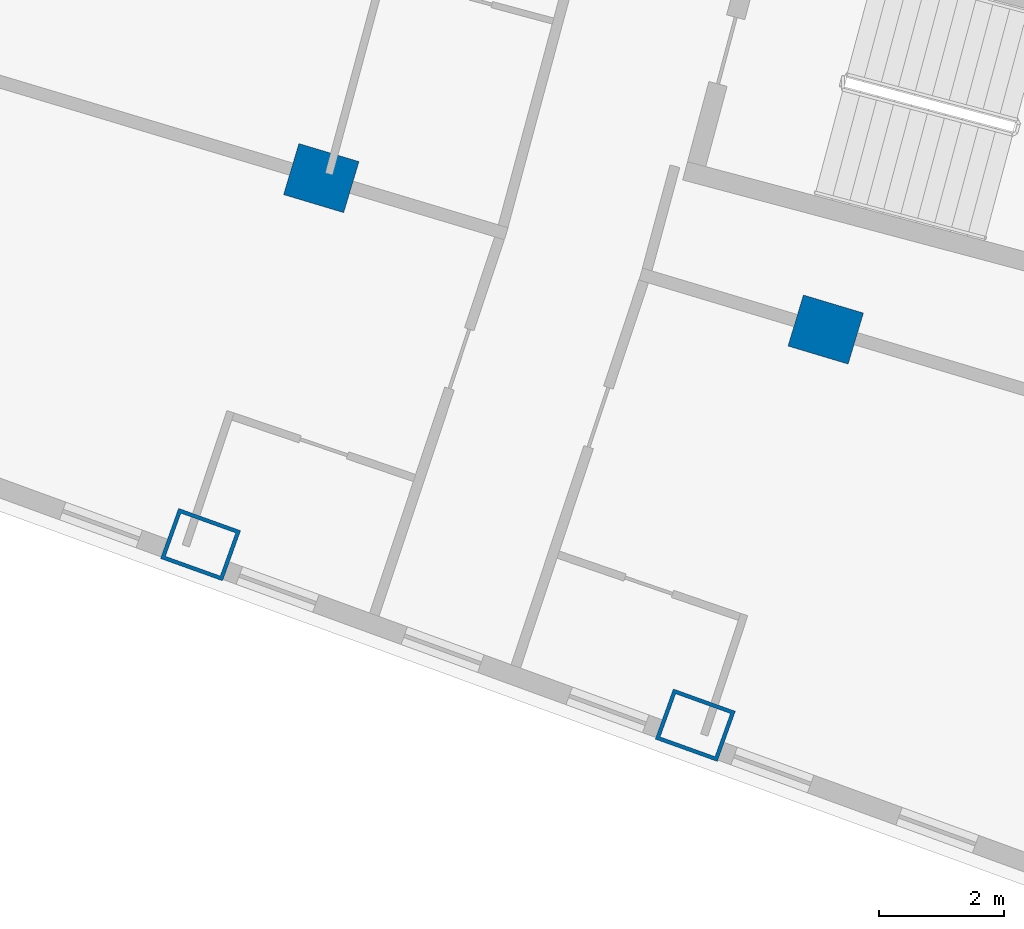
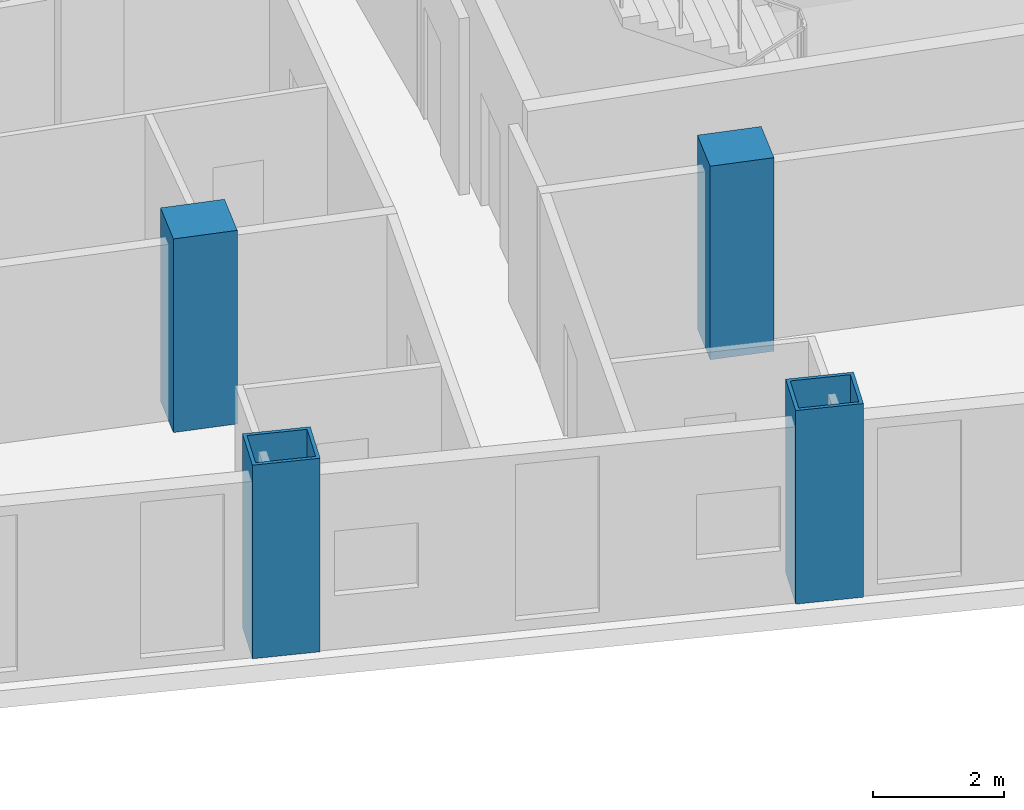
# One storey, part 2 of 25: 4 columns.
"""IFC4 building model written with IfcOpenShell, lengths in metres."""

from ifc_helpers import new_model, si_unit, direction, frame, origin, origin_2d, place, context, subcontext, project, spatial, rectangle, hollow_rectangle, extrude, material, material_profile, profile_set, type_object, element, save


model = new_model("IFC4")

# Units and contexts
model_context = context("Model", 3, precision=1e-05, world=origin(), true_north=direction((0.0, 1.0)))
body_context = subcontext(model_context, "Body", "Model", "MODEL_VIEW")
ifc_project = project(units=[si_unit("LENGTHUNIT", "METRE"), si_unit("AREAUNIT", "SQUARE_METRE"), si_unit("VOLUMEUNIT", "CUBIC_METRE"), si_unit("PLANEANGLEUNIT", "RADIAN"), si_unit("MASSUNIT", "GRAM", prefix="KILO")], contexts=[model_context])

# Site, building, storey
site_placement = place(None, origin())
site = spatial("IfcSite", under=ifc_project, at=site_placement, CompositionType="ELEMENT")
building_placement = place(site_placement, origin())
building = spatial("IfcBuilding", under=site, at=building_placement, Name="Alderwake Tower", CompositionType="ELEMENT")
storey_placement = place(building_placement, frame((0.0, 0.0, 107.60009765625)))
storey = spatial("IfcBuildingStorey", under=building, at=storey_placement, Name="L26", CompositionType="ELEMENT", Elevation=107.60009765625)

# Columns
ifc_material_1 = material(Name="Steel ASTM A572 Grade 50 concrete filled C70/85", Category="concrete")
ifc_material_profile_1 = material_profile(ifc_material_1, hollow_rectangle(XDim=0.85009765625, YDim=1.050048828125, WallThickness=0.06005859375, at=origin_2d()), Name="BOX 1050X850X60")
ifc_profile_set_1 = profile_set([ifc_material_profile_1], Name="Steel ASTM A572 Grade 50 concrete filled C70/85")
column_type_1 = type_object("IfcColumnType", Name="End column Z2", PredefinedType="COLUMN", material=ifc_profile_set_1)
for number, where, z_axis, x_axis, name in (
    (1, (28.983642578125, 21.856689453125, 0.0), (0.0, 0.0, 1.0), (0.338026774049, 0.941136493834, 0.0), "Column R01-C2"),
    (2, (36.87451171875, 18.976318359375, 0.0), (0.0, 0.0, 1.0), (0.338355272059, 0.941018442896, 0.0), "Column R01-C3"),
):
    element("IfcColumn", number, at=place(storey_placement, frame(where, z_axis=z_axis, x_axis=x_axis)), inside=storey, type_object=column_type_1, Name=name, PredefinedType="COLUMN", context=body_context, shape_type="SweptSolid", body=[
        extrude(hollow_rectangle(XDim=0.85009765625, YDim=1.050048828125, WallThickness=0.06005859375, at=origin_2d()), origin(), (0.0, 0.0, 1.0), 3.599853515625),
    ])
ifc_material_2 = material(Name="Concrete C70/85", Category="concrete")
ifc_material_profile_2 = material_profile(ifc_material_2, rectangle(XDim=0.85009765625, YDim=1.0, at=origin_2d()), Name="RC 1000X850")
ifc_profile_set_2 = profile_set([ifc_material_profile_2], Name="Concrete C70/85")
column_type_2 = type_object("IfcColumnType", Name="Interior column Z2", PredefinedType="COLUMN", material=ifc_profile_set_2)
for number, where, z_axis, x_axis, name in (
    (3, (30.9091796875, 27.701904296875, 0.0), (0.0, 0.0, 1.0), (0.287549418125, 0.957765802342, 0.0), "Column R02-C2"),
    (4, (38.95458984375, 25.286376953125, 0.0), (0.0, 0.0, 1.0), (0.287549418125, 0.957765802342, 0.0), "Column R02-C3"),
):
    element("IfcColumn", number, at=place(storey_placement, frame(where, z_axis=z_axis, x_axis=x_axis)), inside=storey, type_object=column_type_2, Name=name, PredefinedType="COLUMN", context=body_context, shape_type="SweptSolid", body=[
        extrude(rectangle(XDim=0.85009765625, YDim=1.0, at=origin_2d()), origin(), (0.0, 0.0, 1.0), 3.599853515625),
    ])

save(model, "model.ifc")
